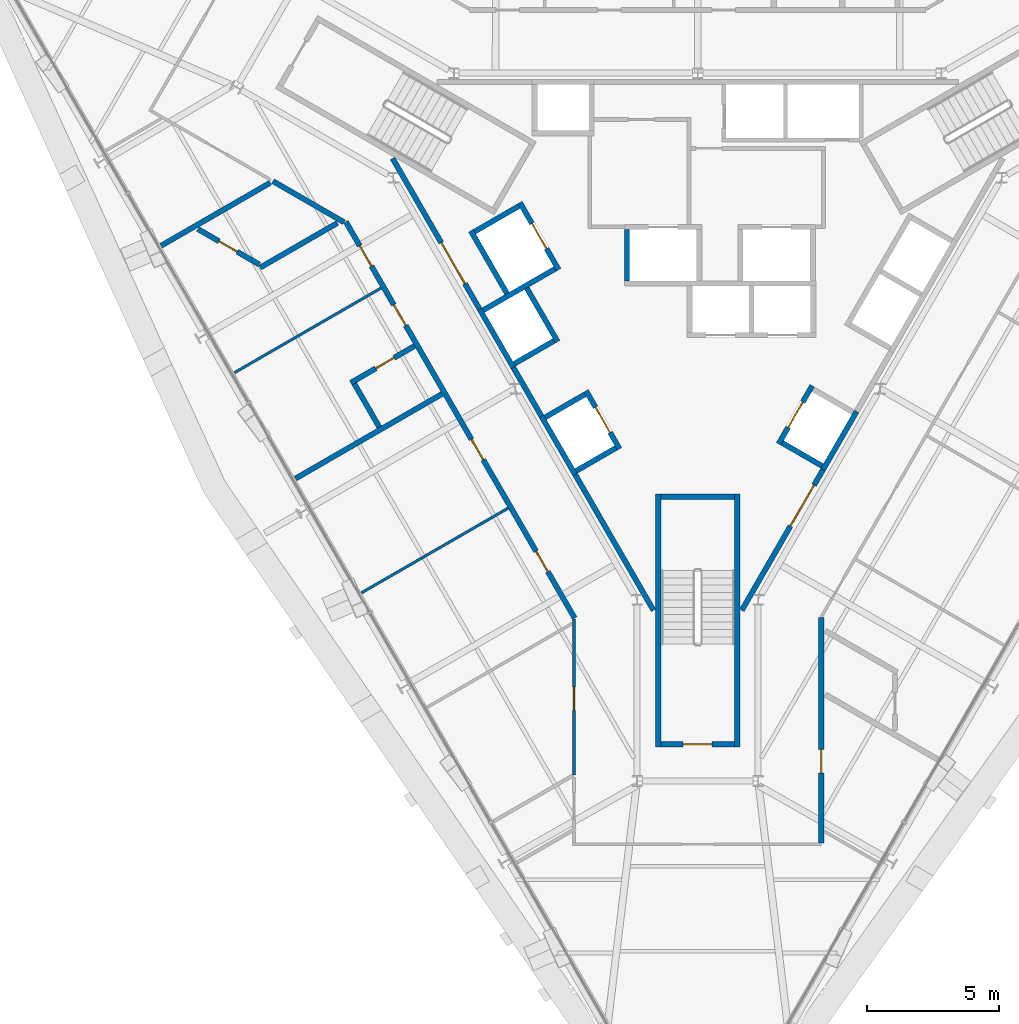
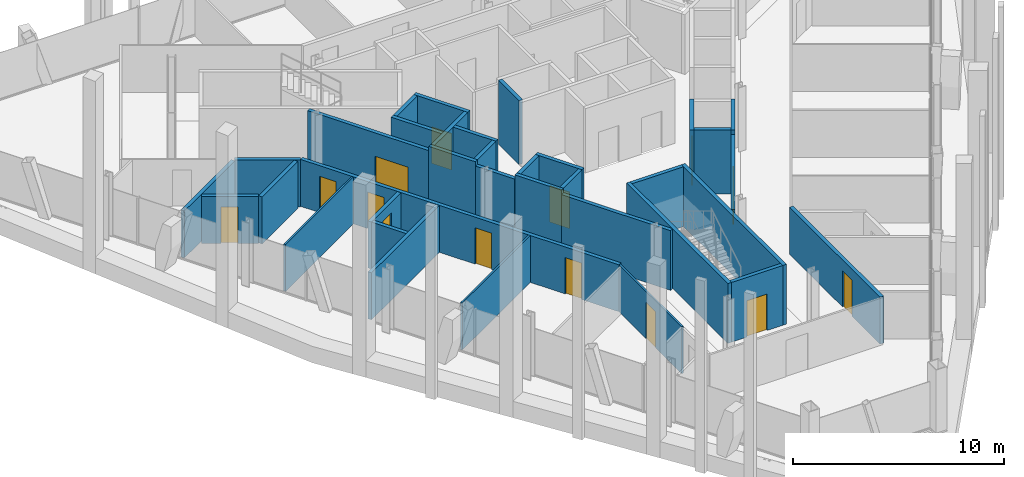
# One storey, part 8 of 13: 35 walls, 14 doors, 14 openings.
"""IFC4 building model written with IfcOpenShell, lengths in metres."""

from ifc_helpers import new_model, si_unit, direction, frame, frame_2d, origin, place, context, subcontext, project, spatial, rectangle, extrude, material, layer, layer_set, type_object, element, fill, save


model = new_model("IFC4")

# Units and contexts
model_context = context("Model", 3, precision=1e-05, world=origin(), true_north=direction((0.0, 1.0)))
body_context = subcontext(model_context, "Body", "Model", "MODEL_VIEW")
ifc_project = project(units=[si_unit("LENGTHUNIT", "METRE"), si_unit("AREAUNIT", "SQUARE_METRE"), si_unit("VOLUMEUNIT", "CUBIC_METRE"), si_unit("PLANEANGLEUNIT", "RADIAN"), si_unit("MASSUNIT", "GRAM", prefix="KILO")], contexts=[model_context])

# Site, building, storey
site_placement = place(None, origin())
site = spatial("IfcSite", under=ifc_project, at=site_placement, CompositionType="ELEMENT")
building_placement = place(site_placement, origin())
building = spatial("IfcBuilding", under=site, at=building_placement, Name="Verrane Prism Tower", CompositionType="ELEMENT")
storey_placement = place(building_placement, frame((0.0, 0.0, 159.89990234375)))
storey = spatial("IfcBuildingStorey", under=building, at=storey_placement, Name="L39", CompositionType="ELEMENT", Elevation=159.89990234375)

# Wall, opening, door
ifc_material_1 = material(Name="Gypsum board partition", Category="other")
ifc_layer_1 = layer(ifc_material_1, 0.199951171875)
ifc_layer_set_1 = layer_set([ifc_layer_1], Name="CW-200 core boundary wall 2 h")
wall_type_1 = type_object("IfcWallType", Name="CW-200 core boundary wall 2 h", PredefinedType="PARTITIONING", material=ifc_layer_set_1)
wall_1_placement = place(storey_placement, frame((-11.590576171875, 4.7548828125, 0.0), z_axis=(0.0, 0.0, 1.0), x_axis=(0.500043977787, -0.866000011708, 0.0)))
wall_1 = element("IfcWall", 1, at=wall_1_placement, inside=storey, type_object=wall_type_1, Name="Core boundary wall CW3-001", PredefinedType="PARTITIONING", context=body_context, shape_type="SweptSolid", body=[
    extrude(rectangle(XDim=6.61669921875, YDim=0.199951171875, at=frame_2d((3.308349609375, 0.0))), origin(), (0.0, 0.0, 1.0), 3.4501953125),
])
opening_1_placement = place(wall_1_placement, frame((3.695068359375, 0.0, 0.0)))
opening_1 = element("IfcOpeningElement", 2, at=opening_1_placement, cuts=wall_1, Name="Opening D39510", PredefinedType="OPENING", context=body_context, shape_type="SweptSolid", body=[
    extrude(rectangle(XDim=1.800048828125, YDim=2.10009765625, at=frame_2d((0.89990234375, 1.050048828125))), frame((0.0, 0.10986328125, 0.0), z_axis=(0.0, -1.0, 0.0), x_axis=(1.0, 0.0, 0.0)), (0.0, 0.0, 1.0), 0.219970703125),
])
ifc_material_2 = material(Name="Timber veneered door leaf", Category="wood")
door_type_1 = type_object("IfcDoorType", Name="DR-1800x2100 FD60 double leaf lift lobby", OperationType="NOTDEFINED", PredefinedType="DOOR", material=ifc_material_2)
door_1_placement = place(opening_1_placement, origin())
door_1 = element("IfcDoor", 3, at=door_1_placement, inside=storey, type_object=door_type_1, Name="Lift lobby door D39510", OperationType="DOUBLE_DOOR_SINGLE_SWING", OverallHeight=2.10009765625, OverallWidth=1.800048828125, PredefinedType="DOOR", context=body_context, shape_type="SweptSolid", body=[
    extrude(rectangle(XDim=1.800048828125, YDim=2.10009765625, at=frame_2d((0.89990234375, 1.050048828125))), frame((0.0, 0.02490234375, 0.0), z_axis=(0.0, -1.0, 0.0), x_axis=(1.0, 0.0, 0.0)), (0.0, 0.0, 1.0), 0.050048828125),
])
fill(opening_1, door_1)

# Walls
wall_2_placement = place(storey_placement, frame((-7.0048828125, -3.18701171875, 0.0), z_axis=(0.0, 0.0, 1.0), x_axis=(0.499689606989, -0.866204535123, 0.0)))
element("IfcWall", 4, at=wall_2_placement, inside=storey, type_object=wall_type_1, Name="Core boundary wall CW3-003", PredefinedType="PARTITIONING", context=body_context, shape_type="SweptSolid", body=[
    extrude(rectangle(XDim=2.144775390625, YDim=0.199951171875, at=frame_2d((1.072265625, 0.0))), origin(), (0.0, 0.0, 1.0), 3.4501953125),
])
wall_3_placement = place(storey_placement, frame((-4.655029296875, -7.257080078125, 0.0), z_axis=(0.0, 0.0, 1.0), x_axis=(0.499966124405, -0.866044960985, 0.0)))
element("IfcWall", 5, at=wall_3_placement, inside=storey, type_object=wall_type_1, Name="Core boundary wall CW3-004", PredefinedType="PARTITIONING", context=body_context, shape_type="SweptSolid", body=[
    extrude(rectangle(XDim=5.95556640625, YDim=0.199951171875, at=frame_2d((2.977783203125, 0.0))), origin(), (0.0, 0.0, 1.0), 3.4501953125),
])

# Wall, opening, door
wall_4_placement = place(storey_placement, frame((1.677490234375, -12.414794921875, 0.0), z_axis=(0.0, 0.0, 1.0), x_axis=(0.500054337157, 0.865994029939, 0.0)))
wall_4 = element("IfcWall", 6, at=wall_4_placement, inside=storey, type_object=wall_type_1, Name="Core boundary wall CW3-006", PredefinedType="PARTITIONING", context=body_context, shape_type="SweptSolid", body=[
    extrude(rectangle(XDim=6.176513671875, YDim=0.199951171875, at=frame_2d((3.08837890625, 0.0))), origin(), (0.0, 0.0, 1.0), 3.4501953125),
])
opening_2_placement = place(wall_4_placement, frame((3.695068359375, 0.0, 0.0)))
opening_2 = element("IfcOpeningElement", 7, at=opening_2_placement, cuts=wall_4, Name="Opening D39515", PredefinedType="OPENING", context=body_context, shape_type="SweptSolid", body=[
    extrude(rectangle(XDim=1.800048828125, YDim=2.10009765625, at=frame_2d((0.89990234375, 1.050048828125))), frame((0.0, 0.10986328125, 0.0), z_axis=(0.0, -1.0, 0.0), x_axis=(1.0, 0.0, 0.0)), (0.0, 0.0, 1.0), 0.219970703125),
])
door_2_placement = place(opening_2_placement, origin())
door_2 = element("IfcDoor", 8, at=door_2_placement, inside=storey, type_object=door_type_1, Name="Lift lobby door D39515", OperationType="DOUBLE_DOOR_SINGLE_SWING", OverallHeight=2.10009765625, OverallWidth=1.800048828125, PredefinedType="DOOR", context=body_context, shape_type="SweptSolid", body=[
    extrude(rectangle(XDim=1.800048828125, YDim=2.10009765625, at=frame_2d((0.89990234375, 1.050048828125))), frame((0.0, 0.02490234375, 0.0), z_axis=(0.0, -1.0, 0.0), x_axis=(1.0, 0.0, 0.0)), (0.0, 0.0, 1.0), 0.050048828125),
])
fill(opening_2, door_2)

ifc_material_3 = material(Name="Concrete C40/50", Category="concrete")
ifc_layer_2 = layer(ifc_material_3, 0.199951171875)
ifc_layer_set_2 = layer_set([ifc_layer_2], Name="CW-200 stair core wall concrete C40/50 3 h")
wall_type_2 = type_object("IfcWallType", Name="CW-200 stair core wall concrete C40/50 3 h", PredefinedType="PARTITIONING", material=ifc_layer_set_2)
wall_5_placement = place(storey_placement, frame((-1.39990234375, -17.5, 0.0), z_axis=(0.0, 0.0, 1.0), x_axis=(1.0, 0.0, 0.0)))
wall_5 = element("IfcWall", 9, at=wall_5_placement, inside=storey, type_object=wall_type_2, Name="Stair 3 enclosure wall", PredefinedType="PARTITIONING", context=body_context, shape_type="SweptSolid", body=[
    extrude(rectangle(XDim=2.7998046875, YDim=0.199951171875, at=frame_2d((1.39990234375, 0.0))), origin(), (0.0, 0.0, 1.0), 3.4501953125),
])
opening_3_placement = place(wall_5_placement, frame((0.85009765625, 0.0, 0.0)))
opening_3 = element("IfcOpeningElement", 10, at=opening_3_placement, cuts=wall_5, Name="Opening D39502", PredefinedType="OPENING", context=body_context, shape_type="SweptSolid", body=[
    extrude(rectangle(XDim=1.10009765625, YDim=2.10009765625, at=frame_2d((0.550048828125, 1.050048828125))), frame((0.0, 0.10986328125, 0.0), z_axis=(0.0, -1.0, 0.0), x_axis=(1.0, 0.0, 0.0)), (0.0, 0.0, 1.0), 0.219970703125),
])
ifc_material_4 = material(Name="Timber veneered door leaf", Category="wood")
door_type_2 = type_object("IfcDoorType", Name="DR-1100x2100 FD90 single leaf stair", OperationType="NOTDEFINED", PredefinedType="DOOR", material=ifc_material_4)
door_3_placement = place(opening_3_placement, origin())
door_3 = element("IfcDoor", 11, at=door_3_placement, inside=storey, type_object=door_type_2, Name="Stair 3 door", OperationType="SINGLE_SWING_LEFT", OverallHeight=2.10009765625, OverallWidth=1.10009765625, PredefinedType="DOOR", context=body_context, shape_type="SweptSolid", body=[
    extrude(rectangle(XDim=1.10009765625, YDim=2.10009765625, at=frame_2d((0.550048828125, 1.050048828125))), frame((0.0, 0.02490234375, 0.0), z_axis=(0.0, -1.0, 0.0), x_axis=(1.0, 0.0, 0.0)), (0.0, 0.0, 1.0), 0.050048828125),
])
fill(opening_3, door_3)

# Walls
for number, where, z_axis, x_axis, name in (
    (12, (1.5, -8.0, 0.0), (0.0, 0.0, 1.0), (0.0, -1.0, 0.0), "Stair 3 enclosure wall"),
    (13, (-1.5, -8.0, 0.0), (0.0, 0.0, 1.0), (0.0, -1.0, 0.0), "Stair 3 enclosure wall"),
):
    element("IfcWall", number, at=place(storey_placement, frame(where, z_axis=z_axis, x_axis=x_axis)), inside=storey, type_object=wall_type_2, Name=name, PredefinedType="PARTITIONING", context=body_context, shape_type="SweptSolid", body=[
        extrude(rectangle(XDim=9.60009765625, YDim=0.199951171875, at=frame_2d((4.800048828125, 0.0))), origin(), (0.0, 0.0, 1.0), 3.4501953125),
    ])
wall_6_placement = place(storey_placement, frame((-1.39990234375, -8.10009765625, 0.0), z_axis=(0.0, 0.0, 1.0), x_axis=(1.0, 0.0, 0.0)))
element("IfcWall", 14, at=wall_6_placement, inside=storey, type_object=wall_type_2, Name="Stair 3 enclosure wall", PredefinedType="PARTITIONING", context=body_context, shape_type="SweptSolid", body=[
    extrude(rectangle(XDim=2.7998046875, YDim=0.199951171875, at=frame_2d((1.39990234375, 0.0))), origin(), (0.0, 0.0, 1.0), 3.4501953125),
])
ifc_material_5 = material(Name="Gypsum board shaft wall assembly", Category="other")
ifc_layer_3 = layer(ifc_material_5, 0.199951171875)
ifc_layer_set_3 = layer_set([ifc_layer_3], Name="HW-200 lift shaft wall 2 h")
wall_type_3 = type_object("IfcWallType", Name="HW-200 lift shaft wall 2 h", PredefinedType="PARTITIONING", material=ifc_layer_set_3)
for number, where, z_axis, x_axis, name in (
    (15, (-4.61962890625, -7.118408203125, 0.0), (0.0, 0.0, 1.0), (0.866036909293, 0.499980071345, 0.0), "Lift shaft wall"),
    (16, (-5.794677734375, -5.083251953125, 0.0), (0.0, 0.0, 1.0), (0.866036909293, 0.499980071345, 0.0), "Lift shaft wall"),
    (17, (-6.9697265625, -3.048095703125, 0.0), (0.0, 0.0, 1.0), (0.866036909293, 0.499980071345, 0.0), "Lift shaft wall"),
):
    element("IfcWall", number, at=place(storey_placement, frame(where, z_axis=z_axis, x_axis=x_axis)), inside=storey, type_object=wall_type_3, Name=name, PredefinedType="PARTITIONING", context=body_context, shape_type="SweptSolid", body=[
        extrude(rectangle(XDim=1.75, YDim=0.199951171875, at=frame_2d((0.875, 0.0))), origin(), (0.0, 0.0, 1.0), 3.7001953125),
    ])
wall_7_placement = place(storey_placement, frame((-8.14453125, -1.012939453125, 0.0), z_axis=(0.0, 0.0, 1.0), x_axis=(0.866016494683, 0.500015430699, 0.0)))
element("IfcWall", 18, at=wall_7_placement, inside=storey, type_object=wall_type_3, Name="Lift shaft wall", PredefinedType="PARTITIONING", context=body_context, shape_type="SweptSolid", body=[
    extrude(rectangle(XDim=3.14990234375, YDim=0.199951171875, at=frame_2d((1.574951171875, 0.0))), origin(), (0.0, 0.0, 1.0), 3.7001953125),
])
wall_8_placement = place(storey_placement, frame((-8.48046875, 1.968505859375, 0.0), z_axis=(0.0, 0.0, 1.0), x_axis=(0.866000020948, 0.500043961785, 0.0)))
element("IfcWall", 19, at=wall_8_placement, inside=storey, type_object=wall_type_3, Name="Lift shaft wall", PredefinedType="PARTITIONING", context=body_context, shape_type="SweptSolid", body=[
    extrude(rectangle(XDim=1.949951171875, YDim=0.199951171875, at=frame_2d((0.97509765625, 0.0))), origin(), (0.0, 0.0, 1.0), 3.7001953125),
])
wall_9_placement = place(storey_placement, frame((4.766357421875, -7.064697265625, 0.0), z_axis=(0.0, 0.0, 1.0), x_axis=(0.499948979701, 0.866054858364, 0.0)))
element("IfcWall", 20, at=wall_9_placement, inside=storey, type_object=wall_type_3, Name="Lift shaft wall", PredefinedType="PARTITIONING", context=body_context, shape_type="SweptSolid", body=[
    extrude(rectangle(XDim=2.550048828125, YDim=0.199951171875, at=frame_2d((1.27490234375, 0.0))), origin(), (0.0, 0.0, 1.0), 3.7001953125),
])

# Wall, opening, door
wall_10_placement = place(storey_placement, frame((3.077392578125, -6.089599609375, 0.0), z_axis=(0.0, 0.0, 1.0), x_axis=(0.500062241894, 0.865989465428, 0.0)))
wall_10 = element("IfcWall", 21, at=wall_10_placement, inside=storey, type_object=wall_type_3, Name="Lift shaft wall", PredefinedType="PARTITIONING", context=body_context, shape_type="SweptSolid", body=[
    extrude(rectangle(XDim=2.550048828125, YDim=0.199951171875, at=frame_2d((1.27490234375, 0.0))), origin(), (0.0, 0.0, 1.0), 3.7001953125),
])
opening_4_placement = place(wall_10_placement, frame((0.72509765625, 0.0, 0.0)))
opening_4 = element("IfcOpeningElement", 22, at=opening_4_placement, cuts=wall_10, Name="Opening D39505", PredefinedType="OPENING", context=body_context, shape_type="SweptSolid", body=[
    extrude(rectangle(XDim=1.10009765625, YDim=2.10009765625, at=frame_2d((0.550048828125, 1.050048828125))), frame((0.0, 0.10986328125, 0.0), z_axis=(0.0, -1.0, 0.0), x_axis=(1.0, 0.0, 0.0)), (0.0, 0.0, 1.0), 0.219970703125),
])
ifc_material_6 = material(Name="Stainless steel sliding landing door", Category="steel")
door_type_3 = type_object("IfcDoorType", Name="LD-1100x2100 lift landing door FD90 sliding", OperationType="NOTDEFINED", PredefinedType="DOOR", material=ifc_material_6)
door_4_placement = place(opening_4_placement, origin())
door_4 = element("IfcDoor", 23, at=door_4_placement, inside=storey, type_object=door_type_3, Name="Bank B lift 3 landing door", OperationType="SLIDING_TO_LEFT", OverallHeight=2.10009765625, OverallWidth=1.10009765625, PredefinedType="DOOR", context=body_context, shape_type="SweptSolid", body=[
    extrude(rectangle(XDim=1.10009765625, YDim=2.10009765625, at=frame_2d((0.550048828125, 1.050048828125))), frame((0.0, 0.02490234375, 0.0), z_axis=(0.0, -1.0, 0.0), x_axis=(1.0, 0.0, 0.0)), (0.0, 0.0, 1.0), 0.050048828125),
])
fill(opening_4, door_4)

# Wall
wall_11_placement = place(storey_placement, frame((-2.68505859375, 0.10009765625, 0.0), z_axis=(0.0, 0.0, 1.0), x_axis=(0.0, 1.0, 0.0)))
element("IfcWall", 24, at=wall_11_placement, inside=storey, type_object=wall_type_3, Name="Lift shaft wall", PredefinedType="PARTITIONING", context=body_context, shape_type="SweptSolid", body=[
    extrude(rectangle(XDim=1.949951171875, YDim=0.199951171875, at=frame_2d((0.97509765625, 0.0))), origin(), (0.0, 0.0, 1.0), 3.7001953125),
])

# Wall, opening, door
wall_12_placement = place(storey_placement, frame((-5.280029296875, 0.525390625, 0.0), z_axis=(0.0, 0.0, 1.0), x_axis=(-0.500037662692, 0.866003658127, 0.0)))
wall_12 = element("IfcWall", 25, at=wall_12_placement, inside=storey, type_object=wall_type_3, Name="Lift shaft wall", PredefinedType="PARTITIONING", context=body_context, shape_type="SweptSolid", body=[
    extrude(rectangle(XDim=2.949951171875, YDim=0.199951171875, at=frame_2d((1.47509765625, 0.0))), origin(), (0.0, 0.0, 1.0), 3.7001953125),
])
opening_5_placement = place(wall_12_placement, frame((0.925048828125, 0.0, 0.0)))
opening_5 = element("IfcOpeningElement", 26, at=opening_5_placement, cuts=wall_12, Name="Opening D39509", PredefinedType="OPENING", context=body_context, shape_type="SweptSolid", body=[
    extrude(rectangle(XDim=1.10009765625, YDim=2.10009765625, at=frame_2d((0.550048828125, 1.050048828125))), frame((0.0, 0.10986328125, 0.0), z_axis=(0.0, -1.0, 0.0), x_axis=(1.0, 0.0, 0.0)), (0.0, 0.0, 1.0), 0.219970703125),
])
door_5_placement = place(opening_5_placement, origin())
door_5 = element("IfcDoor", 27, at=door_5_placement, inside=storey, type_object=door_type_3, Name="Service lift 1 landing door", OperationType="SLIDING_TO_LEFT", OverallHeight=2.10009765625, OverallWidth=1.10009765625, PredefinedType="DOOR", context=body_context, shape_type="SweptSolid", body=[
    extrude(rectangle(XDim=1.10009765625, YDim=2.10009765625, at=frame_2d((0.550048828125, 1.050048828125))), frame((0.0, 0.02490234375, 0.0), z_axis=(0.0, -1.0, 0.0), x_axis=(1.0, 0.0, 0.0)), (0.0, 0.0, 1.0), 0.050048828125),
])
fill(opening_5, door_5)

wall_13_placement = place(storey_placement, frame((-2.967529296875, -6.280029296875, 0.0), z_axis=(0.0, 0.0, 1.0), x_axis=(-0.499990435942, 0.866030925526, 0.0)))
wall_13 = element("IfcWall", 28, at=wall_13_placement, inside=storey, type_object=wall_type_3, Name="Lift shaft wall", PredefinedType="PARTITIONING", context=body_context, shape_type="SweptSolid", body=[
    extrude(rectangle(XDim=2.5498046875, YDim=0.199951171875, at=frame_2d((1.27490234375, 0.0))), origin(), (0.0, 0.0, 1.0), 3.7001953125),
])
opening_6_placement = place(wall_13_placement, frame((0.72509765625, 0.0, 0.0)))
opening_6 = element("IfcOpeningElement", 29, at=opening_6_placement, cuts=wall_13, Name="Opening D39506", PredefinedType="OPENING", context=body_context, shape_type="SweptSolid", body=[
    extrude(rectangle(XDim=1.10009765625, YDim=2.10009765625, at=frame_2d((0.550048828125, 1.050048828125))), frame((0.0, 0.10986328125, 0.0), z_axis=(0.0, -1.0, 0.0), x_axis=(1.0, 0.0, 0.0)), (0.0, 0.0, 1.0), 0.219970703125),
])
door_6_placement = place(opening_6_placement, origin())
door_6 = element("IfcDoor", 30, at=door_6_placement, inside=storey, type_object=door_type_3, Name="Bank B lift 4 landing door", OperationType="SLIDING_TO_RIGHT", OverallHeight=2.10009765625, OverallWidth=1.10009765625, PredefinedType="DOOR", context=body_context, shape_type="SweptSolid", body=[
    extrude(rectangle(XDim=1.10009765625, YDim=2.10009765625, at=frame_2d((0.550048828125, 1.050048828125))), frame((0.0, 0.02490234375, 0.0), z_axis=(0.0, -1.0, 0.0), x_axis=(1.0, 0.0, 0.0)), (0.0, 0.0, 1.0), 0.050048828125),
])
fill(opening_6, door_6)

# Walls
wall_14_placement = place(storey_placement, frame((-5.317626953125, -2.209716796875, 0.0), z_axis=(0.0, 0.0, 1.0), x_axis=(-0.499938297808, 0.866061024631, 0.0)))
element("IfcWall", 31, at=wall_14_placement, inside=storey, type_object=wall_type_3, Name="Lift shaft wall", PredefinedType="PARTITIONING", context=body_context, shape_type="SweptSolid", body=[
    extrude(rectangle(XDim=2.349853515625, YDim=0.199951171875, at=frame_2d((1.1748046875, 0.0))), origin(), (0.0, 0.0, 1.0), 3.7001953125),
])
wall_15_placement = place(storey_placement, frame((-7.241943359375, -0.37646484375, 0.0), z_axis=(0.0, 0.0, 1.0), x_axis=(-0.499996545922, 0.866027397988, 0.0)))
element("IfcWall", 32, at=wall_15_placement, inside=storey, type_object=wall_type_3, Name="Lift shaft wall", PredefinedType="PARTITIONING", context=body_context, shape_type="SweptSolid", body=[
    extrude(rectangle(XDim=2.75, YDim=0.199951171875, at=frame_2d((1.375, 0.0))), origin(), (0.0, 0.0, 1.0), 3.7001953125),
])
for number, where, z_axis, x_axis, name in (
    (33, (-4.65625, -7.255126953125, 0.0), (0.0, 0.0, 1.0), (-0.499990435942, 0.866030925526, 0.0), "Lift shaft wall"),
    (34, (-7.00634765625, -3.184814453125, 0.0), (0.0, 0.0, 1.0), (-0.499990435942, 0.866030925526, 0.0), "Lift shaft wall"),
):
    element("IfcWall", number, at=place(storey_placement, frame(where, z_axis=z_axis, x_axis=x_axis)), inside=storey, type_object=wall_type_3, Name=name, PredefinedType="PARTITIONING", context=body_context, shape_type="SweptSolid", body=[
        extrude(rectangle(XDim=2.5498046875, YDim=0.199951171875, at=frame_2d((1.27490234375, 0.0))), origin(), (0.0, 0.0, 1.0), 3.7001953125),
    ])
wall_16_placement = place(storey_placement, frame((4.729736328125, -6.927978515625, 0.0), z_axis=(0.0, 0.0, 1.0), x_axis=(-0.866036909293, 0.499980071345, 0.0)))
element("IfcWall", 35, at=wall_16_placement, inside=storey, type_object=wall_type_3, Name="Lift shaft wall", PredefinedType="PARTITIONING", context=body_context, shape_type="SweptSolid", body=[
    extrude(rectangle(XDim=1.75, YDim=0.199951171875, at=frame_2d((0.875, 0.0))), origin(), (0.0, 0.0, 1.0), 3.7001953125),
])
ifc_material_7 = material(Name="Gypsum board partition", Category="other")
ifc_layer_4 = layer(ifc_material_7, 0.10009765625)
ifc_layer_set_4 = layer_set([ifc_layer_4], Name="PW-100 room partition")
wall_type_4 = type_object("IfcWallType", Name="PW-100 room partition", PredefinedType="PARTITIONING", material=ifc_layer_set_4)
wall_17_placement = place(storey_placement, frame((-17.599853515625, -3.385986328125, 0.0), z_axis=(0.0, 0.0, 1.0), x_axis=(0.865994725265, 0.50005313299, 0.0)))
element("IfcWall", 36, at=wall_17_placement, inside=storey, type_object=wall_type_4, Name="Room partition 006", PredefinedType="PARTITIONING", context=body_context, shape_type="SweptSolid", body=[
    extrude(rectangle(XDim=6.433349609375, YDim=0.10009765625, at=frame_2d((3.216796875, 0.0))), origin(), (0.0, 0.0, 1.0), 2.713134765625),
])
wall_18_placement = place(storey_placement, frame((-12.771728515625, -11.7490234375, 0.0), z_axis=(0.0, 0.0, 1.0), x_axis=(0.866026229868, 0.499998569178, 0.0)))
element("IfcWall", 37, at=wall_18_placement, inside=storey, type_object=wall_type_4, Name="Room partition 014", PredefinedType="PARTITIONING", context=body_context, shape_type="SweptSolid", body=[
    extrude(rectangle(XDim=6.42919921875, YDim=0.10009765625, at=frame_2d((3.214599609375, 0.0))), origin(), (0.0, 0.0, 1.0), 2.713134765625),
])

# Wall, opening, door
wall_19_placement = place(storey_placement, frame((-4.699951171875, -18.6689453125, 0.0), z_axis=(0.0, 0.0, 1.0), x_axis=(0.0, 1.0, 0.0)))
wall_19 = element("IfcWall", 38, at=wall_19_placement, inside=storey, type_object=wall_type_4, Name="Room partition 024", PredefinedType="PARTITIONING", context=body_context, shape_type="SweptSolid", body=[
    extrude(rectangle(XDim=5.9208984375, YDim=0.10009765625, at=frame_2d((2.96044921875, 0.0))), origin(), (0.0, 0.0, 1.0), 2.713134765625),
])
opening_7_placement = place(wall_19_placement, frame((2.449951171875, 0.0, 0.0)))
opening_7 = element("IfcOpeningElement", 39, at=opening_7_placement, cuts=wall_19, Name="Opening D39024", PredefinedType="OPENING", context=body_context, shape_type="SweptSolid", body=[
    extrude(rectangle(XDim=0.89990234375, YDim=2.10009765625, at=frame_2d((0.449951171875, 1.050048828125))), frame((0.0, 0.06005859375, 0.0), z_axis=(0.0, -1.0, 0.0), x_axis=(1.0, 0.0, 0.0)), (0.0, 0.0, 1.0), 0.1201171875),
])
ifc_material_8 = material(Name="Timber veneered door leaf", Category="wood")
door_type_4 = type_object("IfcDoorType", Name="DR-900x2100 single leaf unit", OperationType="NOTDEFINED", PredefinedType="DOOR", material=ifc_material_8)
door_7_placement = place(opening_7_placement, origin())
door_7 = element("IfcDoor", 40, at=door_7_placement, inside=storey, type_object=door_type_4, Name="Study door", OperationType="SINGLE_SWING_RIGHT", OverallHeight=2.10009765625, OverallWidth=0.89990234375, PredefinedType="DOOR", context=body_context, shape_type="SweptSolid", body=[
    extrude(rectangle(XDim=0.89990234375, YDim=2.10009765625, at=frame_2d((0.449951171875, 1.050048828125))), frame((0.0, 0.02490234375, 0.0), z_axis=(0.0, -1.0, 0.0), x_axis=(1.0, 0.0, 0.0)), (0.0, 0.0, 1.0), 0.050048828125),
])
fill(opening_7, door_7)

# Wall
ifc_material_9 = material(Name="Gypsum board partition", Category="other")
ifc_layer_5 = layer(ifc_material_9, 0.199951171875)
ifc_layer_set_5 = layer_set([ifc_layer_5], Name="PW-200 plumbing wall")
wall_type_5 = type_object("IfcWallType", Name="PW-200 plumbing wall", PredefinedType="PARTITIONING", material=ifc_layer_set_5)
wall_20_placement = place(storey_placement, frame((-20.385498046875, 1.439208984375, 0.0), z_axis=(0.0, 0.0, 1.0), x_axis=(0.86607354268, 0.499916611716, 0.0)))
element("IfcWall", 41, at=wall_20_placement, inside=storey, type_object=wall_type_5, Name="Plumbing wall 004", PredefinedType="PARTITIONING", context=body_context, shape_type="SweptSolid", body=[
    extrude(rectangle(XDim=4.789306640625, YDim=0.199951171875, at=frame_2d((2.39453125, 0.0))), origin(), (0.0, 0.0, 1.0), 2.713134765625),
])

# Wall, opening, door
wall_21_placement = place(storey_placement, frame((-18.988037109375, 2.072509765625, 0.0), z_axis=(0.0, 0.0, 1.0), x_axis=(0.866031650062, -0.499989180974, 0.0)))
wall_21 = element("IfcWall", 42, at=wall_21_placement, inside=storey, type_object=wall_type_5, Name="Plumbing wall 005", PredefinedType="PARTITIONING", context=body_context, shape_type="SweptSolid", body=[
    extrude(rectangle(XDim=2.69384765625, YDim=0.199951171875, at=frame_2d((1.346923828125, 0.0))), origin(), (0.0, 0.0, 1.0), 2.713134765625),
])
opening_8_placement = place(wall_21_placement, frame((0.9267578125, 0.0, 0.0)))
opening_8 = element("IfcOpeningElement", 43, at=opening_8_placement, cuts=wall_21, Name="Opening D39019", PredefinedType="OPENING", context=body_context, shape_type="SweptSolid", body=[
    extrude(rectangle(XDim=0.800048828125, YDim=2.10009765625, at=frame_2d((0.39990234375, 1.050048828125))), frame((0.0, 0.10986328125, 0.0), z_axis=(0.0, -1.0, 0.0), x_axis=(1.0, 0.0, 0.0)), (0.0, 0.0, 1.0), 0.219970703125),
])
ifc_material_10 = material(Name="Timber veneered door leaf", Category="wood")
door_type_5 = type_object("IfcDoorType", Name="DR-800x2100 single leaf bath", OperationType="NOTDEFINED", PredefinedType="DOOR", material=ifc_material_10)
door_8_placement = place(opening_8_placement, origin())
door_8 = element("IfcDoor", 44, at=door_8_placement, inside=storey, type_object=door_type_5, Name="Master Bathroom door", OperationType="SINGLE_SWING_LEFT", OverallHeight=2.10009765625, OverallWidth=0.800048828125, PredefinedType="DOOR", context=body_context, shape_type="SweptSolid", body=[
    extrude(rectangle(XDim=0.800048828125, YDim=2.10009765625, at=frame_2d((0.39990234375, 1.050048828125))), frame((0.0, 0.02490234375, 0.0), z_axis=(0.0, -1.0, 0.0), x_axis=(1.0, 0.0, 0.0)), (0.0, 0.0, 1.0), 0.050048828125),
])
fill(opening_8, door_8)

# Walls
wall_22_placement = place(storey_placement, frame((-16.62451171875, 0.60791015625, 0.0), z_axis=(0.0, 0.0, 1.0), x_axis=(0.866005731893, 0.500034071167, 0.0)))
element("IfcWall", 45, at=wall_22_placement, inside=storey, type_object=wall_type_5, Name="Plumbing wall 007", PredefinedType="PARTITIONING", context=body_context, shape_type="SweptSolid", body=[
    extrude(rectangle(XDim=3.390869140625, YDim=0.199951171875, at=frame_2d((1.6953125, 0.0))), origin(), (0.0, 0.0, 1.0), 2.713134765625),
])
wall_23_placement = place(storey_placement, frame((-16.137939453125, 3.89111328125, 0.0), z_axis=(0.0, 0.0, 1.0), x_axis=(0.866117881966, -0.49983978887, 0.0)))
element("IfcWall", 46, at=wall_23_placement, inside=storey, type_object=wall_type_5, Name="Plumbing wall 008", PredefinedType="PARTITIONING", context=body_context, shape_type="SweptSolid", body=[
    extrude(rectangle(XDim=3.1220703125, YDim=0.199951171875, at=frame_2d((1.56103515625, 0.0))), origin(), (0.0, 0.0, 1.0), 2.713134765625),
])
wall_24_placement = place(storey_placement, frame((-15.278564453125, -7.406982421875, 0.0), z_axis=(0.0, 0.0, 1.0), x_axis=(0.866016736051, 0.500015012654, 0.0)))
element("IfcWall", 47, at=wall_24_placement, inside=storey, type_object=wall_type_5, Name="Plumbing wall 010", PredefinedType="PARTITIONING", context=body_context, shape_type="SweptSolid", body=[
    extrude(rectangle(XDim=6.428955078125, YDim=0.199951171875, at=frame_2d((3.21435546875, 0.0))), origin(), (0.0, 0.0, 1.0), 2.713134765625),
])

# Wall, openings, doors
wall_25_placement = place(storey_placement, frame((-4.675048828125, -12.706298828125, 0.0), z_axis=(0.0, 0.0, 1.0), x_axis=(-0.499972470324, 0.866041297467, 0.0)))
wall_25 = element("IfcWall", 48, at=wall_25_placement, inside=storey, type_object=wall_type_5, Name="Plumbing wall 011", PredefinedType="PARTITIONING", context=body_context, shape_type="SweptSolid", body=[
    extrude(rectangle(XDim=17.384765625, YDim=0.199951171875, at=frame_2d((8.6923828125, 0.0))), origin(), (0.0, 0.0, 1.0), 2.713134765625),
])
opening_9_placement = place(wall_25_placement, frame((15.434814453125, 0.0, 0.0)))
opening_9 = element("IfcOpeningElement", 49, at=opening_9_placement, cuts=wall_25, Name="Opening D39018", PredefinedType="OPENING", context=body_context, shape_type="SweptSolid", body=[
    extrude(rectangle(XDim=0.89990234375, YDim=2.10009765625, at=frame_2d((0.449951171875, 1.050048828125))), frame((0.0, 0.10986328125, 0.0), z_axis=(0.0, -1.0, 0.0), x_axis=(1.0, 0.0, 0.0)), (0.0, 0.0, 1.0), 0.219970703125),
])
opening_10_placement = place(wall_25_placement, frame((12.834716796875, 0.0, 0.0)))
opening_10 = element("IfcOpeningElement", 50, at=opening_10_placement, cuts=wall_25, Name="Opening D39020", PredefinedType="OPENING", context=body_context, shape_type="SweptSolid", body=[
    extrude(rectangle(XDim=0.89990234375, YDim=2.10009765625, at=frame_2d((0.449951171875, 1.050048828125))), frame((0.0, 0.10986328125, 0.0), z_axis=(0.0, -1.0, 0.0), x_axis=(1.0, 0.0, 0.0)), (0.0, 0.0, 1.0), 0.219970703125),
])
opening_11_placement = place(wall_25_placement, frame((6.940673828125, 0.0, 0.0)))
opening_11 = element("IfcOpeningElement", 51, at=opening_11_placement, cuts=wall_25, Name="Opening D39022", PredefinedType="OPENING", context=body_context, shape_type="SweptSolid", body=[
    extrude(rectangle(XDim=0.89990234375, YDim=2.10009765625, at=frame_2d((0.449951171875, 1.050048828125))), frame((0.0, 0.10986328125, 0.0), z_axis=(0.0, -1.0, 0.0), x_axis=(1.0, 0.0, 0.0)), (0.0, 0.0, 1.0), 0.219970703125),
])
opening_12_placement = place(wall_25_placement, frame((2.02783203125, 0.0, 0.0)))
opening_12 = element("IfcOpeningElement", 52, at=opening_12_placement, cuts=wall_25, Name="Opening D39023", PredefinedType="OPENING", context=body_context, shape_type="SweptSolid", body=[
    extrude(rectangle(XDim=0.89990234375, YDim=2.10009765625, at=frame_2d((0.449951171875, 1.050048828125))), frame((0.0, 0.10986328125, 0.0), z_axis=(0.0, -1.0, 0.0), x_axis=(1.0, 0.0, 0.0)), (0.0, 0.0, 1.0), 0.219970703125),
])
ifc_material_11 = material(Name="Timber veneered door leaf", Category="wood")
door_type_6 = type_object("IfcDoorType", Name="DR-900x2100 single leaf inner", OperationType="NOTDEFINED", PredefinedType="DOOR", material=ifc_material_11)
door_9_placement = place(opening_9_placement, origin())
door_9 = element("IfcDoor", 53, at=door_9_placement, inside=storey, type_object=door_type_6, Name="Master Bedroom door", OperationType="SINGLE_SWING_LEFT", OverallHeight=2.10009765625, OverallWidth=0.89990234375, PredefinedType="DOOR", context=body_context, shape_type="SweptSolid", body=[
    extrude(rectangle(XDim=0.89990234375, YDim=2.10009765625, at=frame_2d((0.449951171875, 1.050048828125))), frame((0.0, 0.02490234375, 0.0), z_axis=(0.0, -1.0, 0.0), x_axis=(1.0, 0.0, 0.0)), (0.0, 0.0, 1.0), 0.050048828125),
])
fill(opening_9, door_9)
door_10_placement = place(opening_10_placement, origin())
door_10 = element("IfcDoor", 54, at=door_10_placement, inside=storey, type_object=door_type_6, Name="Bedroom door", OperationType="SINGLE_SWING_LEFT", OverallHeight=2.10009765625, OverallWidth=0.89990234375, PredefinedType="DOOR", context=body_context, shape_type="SweptSolid", body=[
    extrude(rectangle(XDim=0.89990234375, YDim=2.10009765625, at=frame_2d((0.449951171875, 1.050048828125))), frame((0.0, 0.02490234375, 0.0), z_axis=(0.0, -1.0, 0.0), x_axis=(1.0, 0.0, 0.0)), (0.0, 0.0, 1.0), 0.050048828125),
])
fill(opening_10, door_10)
door_11_placement = place(opening_11_placement, origin())
door_11 = element("IfcDoor", 55, at=door_11_placement, inside=storey, type_object=door_type_4, Name="Study door", OperationType="SINGLE_SWING_LEFT", OverallHeight=2.10009765625, OverallWidth=0.89990234375, PredefinedType="DOOR", context=body_context, shape_type="SweptSolid", body=[
    extrude(rectangle(XDim=0.89990234375, YDim=2.10009765625, at=frame_2d((0.449951171875, 1.050048828125))), frame((0.0, 0.02490234375, 0.0), z_axis=(0.0, -1.0, 0.0), x_axis=(1.0, 0.0, 0.0)), (0.0, 0.0, 1.0), 0.050048828125),
])
fill(opening_11, door_11)
door_12_placement = place(opening_12_placement, origin())
door_12 = element("IfcDoor", 56, at=door_12_placement, inside=storey, type_object=door_type_4, Name="Study door", OperationType="SINGLE_SWING_RIGHT", OverallHeight=2.10009765625, OverallWidth=0.89990234375, PredefinedType="DOOR", context=body_context, shape_type="SweptSolid", body=[
    extrude(rectangle(XDim=0.89990234375, YDim=2.10009765625, at=frame_2d((0.449951171875, 1.050048828125))), frame((0.0, 0.02490234375, 0.0), z_axis=(0.0, -1.0, 0.0), x_axis=(1.0, 0.0, 0.0)), (0.0, 0.0, 1.0), 0.050048828125),
])
fill(opening_12, door_12)

# Wall
wall_26_placement = place(storey_placement, frame((-13.044921875, -3.8076171875, 0.0), z_axis=(0.0, 0.0, 1.0), x_axis=(0.499911523785, -0.866076479525, 0.0)))
element("IfcWall", 57, at=wall_26_placement, inside=storey, type_object=wall_type_5, Name="Plumbing wall 012", PredefinedType="PARTITIONING", context=body_context, shape_type="SweptSolid", body=[
    extrude(rectangle(XDim=1.900146484375, YDim=0.199951171875, at=frame_2d((0.9501953125, 0.0))), origin(), (0.0, 0.0, 1.0), 2.713134765625),
])

# Wall, opening, door
wall_27_placement = place(storey_placement, frame((-10.760986328125, -2.37353515625, 0.0), z_axis=(0.0, 0.0, 1.0), x_axis=(-0.866041588165, -0.499971966783, 0.0)))
wall_27 = element("IfcWall", 58, at=wall_27_placement, inside=storey, type_object=wall_type_5, Name="Plumbing wall 013", PredefinedType="PARTITIONING", context=body_context, shape_type="SweptSolid", body=[
    extrude(rectangle(XDim=2.795166015625, YDim=0.199951171875, at=frame_2d((1.3974609375, 0.0))), origin(), (0.0, 0.0, 1.0), 2.713134765625),
])
opening_13_placement = place(wall_27_placement, frame((0.89501953125, 0.0, 0.0)))
opening_13 = element("IfcOpeningElement", 59, at=opening_13_placement, cuts=wall_27, Name="Opening D39021", PredefinedType="OPENING", context=body_context, shape_type="SweptSolid", body=[
    extrude(rectangle(XDim=0.800048828125, YDim=2.10009765625, at=frame_2d((0.39990234375, 1.050048828125))), frame((0.0, 0.10986328125, 0.0), z_axis=(0.0, -1.0, 0.0), x_axis=(1.0, 0.0, 0.0)), (0.0, 0.0, 1.0), 0.219970703125),
])
door_13_placement = place(opening_13_placement, origin())
door_13 = element("IfcDoor", 60, at=door_13_placement, inside=storey, type_object=door_type_5, Name="Bathroom door", OperationType="SINGLE_SWING_RIGHT", OverallHeight=2.10009765625, OverallWidth=0.800048828125, PredefinedType="DOOR", context=body_context, shape_type="SweptSolid", body=[
    extrude(rectangle(XDim=0.800048828125, YDim=2.10009765625, at=frame_2d((0.39990234375, 1.050048828125))), frame((0.0, 0.02490234375, 0.0), z_axis=(0.0, -1.0, 0.0), x_axis=(1.0, 0.0, 0.0)), (0.0, 0.0, 1.0), 0.050048828125),
])
fill(opening_13, door_13)

wall_28_placement = place(storey_placement, frame((4.699951171875, -12.68798828125, 0.0), z_axis=(0.0, 0.0, 1.0), x_axis=(0.0, -1.0, 0.0)))
wall_28 = element("IfcWall", 61, at=wall_28_placement, inside=storey, type_object=wall_type_5, Name="Plumbing wall 028", PredefinedType="PARTITIONING", context=body_context, shape_type="SweptSolid", body=[
    extrude(rectangle(XDim=8.56201171875, YDim=0.199951171875, at=frame_2d((4.281005859375, 0.0))), origin(), (0.0, 0.0, 1.0), 2.713134765625),
])
opening_14_placement = place(wall_28_placement, frame((5.009033203125, 0.0, 0.0)))
opening_14 = element("IfcOpeningElement", 62, at=opening_14_placement, cuts=wall_28, Name="Opening D39001", PredefinedType="OPENING", context=body_context, shape_type="SweptSolid", body=[
    extrude(rectangle(XDim=0.89990234375, YDim=2.10009765625, at=frame_2d((0.449951171875, 1.050048828125))), frame((0.0, 0.10986328125, 0.0), z_axis=(0.0, -1.0, 0.0), x_axis=(1.0, 0.0, 0.0)), (0.0, 0.0, 1.0), 0.219970703125),
])
door_14_placement = place(opening_14_placement, origin())
door_14 = element("IfcDoor", 63, at=door_14_placement, inside=storey, type_object=door_type_4, Name="Kitchen door", OperationType="SINGLE_SWING_RIGHT", OverallHeight=2.10009765625, OverallWidth=0.89990234375, PredefinedType="DOOR", context=body_context, shape_type="SweptSolid", body=[
    extrude(rectangle(XDim=0.89990234375, YDim=2.10009765625, at=frame_2d((0.449951171875, 1.050048828125))), frame((0.0, 0.02490234375, 0.0), z_axis=(0.0, -1.0, 0.0), x_axis=(1.0, 0.0, 0.0)), (0.0, 0.0, 1.0), 0.050048828125),
])
fill(opening_14, door_14)

save(model, "model.ifc")
